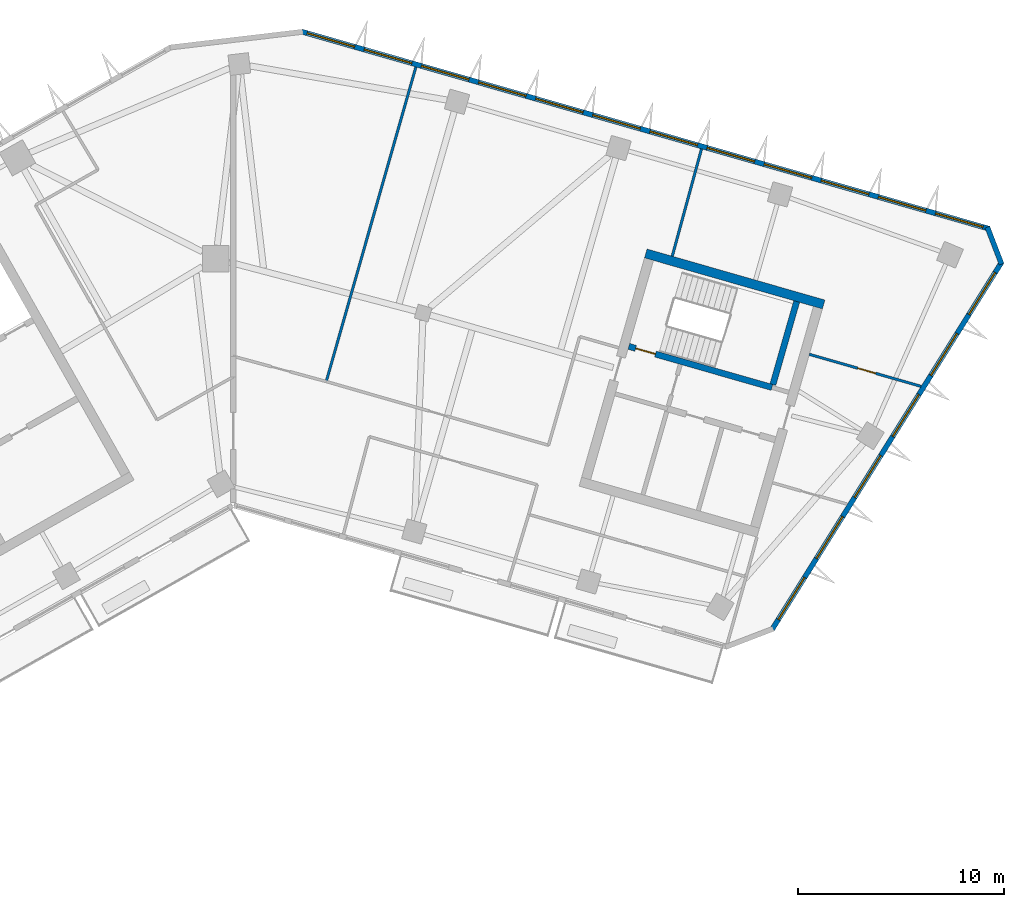
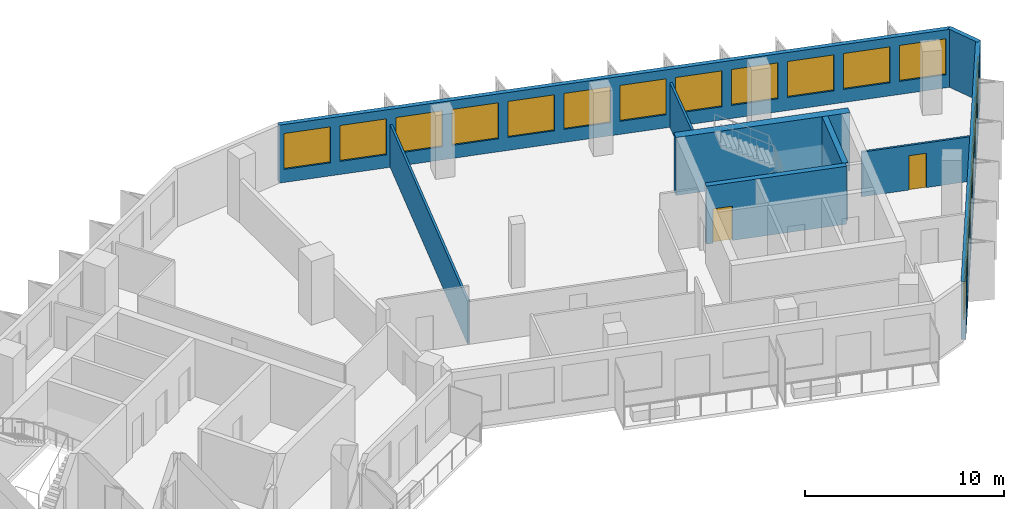
# One storey, part 8 of 12: 18 windows, 9 walls, 2 doors, 20 openings.
"""IFC4 building model written with IfcOpenShell, lengths in metres."""

from ifc_helpers import new_model, si_unit, direction, frame, frame_2d, origin, place, context, subcontext, project, spatial, rectangle, extrude, material, layer, layer_set, type_object, element, fill, save


model = new_model("IFC4")

# Units and contexts
model_context = context("Model", 3, precision=1e-05, world=origin(), true_north=direction((0.0, 1.0)))
body_context = subcontext(model_context, "Body", "Model", "MODEL_VIEW")
ifc_project = project(units=[si_unit("LENGTHUNIT", "METRE"), si_unit("AREAUNIT", "SQUARE_METRE"), si_unit("VOLUMEUNIT", "CUBIC_METRE"), si_unit("PLANEANGLEUNIT", "RADIAN"), si_unit("MASSUNIT", "GRAM", prefix="KILO")], contexts=[model_context])

# Site, building, storey
site_placement = place(None, origin())
site = spatial("IfcSite", under=ifc_project, at=site_placement, CompositionType="ELEMENT")
building_placement = place(site_placement, origin())
building = spatial("IfcBuilding", under=site, at=building_placement, Name="Binnacle Exchange Tower", CompositionType="ELEMENT")
storey_placement = place(building_placement, frame((0.0, 0.0, 254.300048828125)))
storey = spatial("IfcBuildingStorey", under=building, at=storey_placement, Name="L56", CompositionType="ELEMENT", Elevation=254.300048828125)

# Wall
ifc_material_1 = material(Name="Concrete C70/85", Category="concrete")
ifc_layer_1 = layer(ifc_material_1, 0.449951171875)
ifc_layer_set_1 = layer_set([ifc_layer_1], Name="Core wall - outer 450")
wall_type_1 = type_object("IfcWallType", Name="Core wall - outer 450", PredefinedType="SOLIDWALL", material=ifc_layer_set_1)
wall_1_placement = place(storey_placement, frame((20.073486328125, 60.251708984375, 0.0), z_axis=(0.0, 0.0, 1.0), x_axis=(0.96126248289, -0.275634611374, 0.0)))
element("IfcWall", 1, at=wall_1_placement, inside=storey, type_object=wall_type_1, Name="Core wall CRWD6", PredefinedType="SOLIDWALL", context=body_context, shape_type="SweptSolid", body=[
    extrude(rectangle(XDim=9.0, YDim=0.449951171875, at=frame_2d((4.5, 0.0))), origin(), (0.0, 0.0, 1.0), 3.550048828125),
])

# Wall, opening, door
ifc_layer_2 = layer(ifc_material_1, 0.300048828125)
ifc_layer_set_2 = layer_set([ifc_layer_2], Name="Core wall - stair 300")
wall_type_2 = type_object("IfcWallType", Name="Core wall - stair 300", PredefinedType="SOLIDWALL", material=ifc_layer_set_2)
wall_2_placement = place(storey_placement, frame((19.2451171875, 55.72998046875, 0.0), z_axis=(0.0, 0.0, 1.0), x_axis=(0.961263007877, -0.275632780503, 0.0)))
wall_2 = element("IfcWall", 2, at=wall_2_placement, inside=storey, type_object=wall_type_2, Name="Core wall CRWD4", PredefinedType="SOLIDWALL", context=body_context, shape_type="SweptSolid", body=[
    extrude(rectangle(XDim=7.249755859375, YDim=0.300048828125, at=frame_2d((3.625, 0.0))), origin(), (0.0, 0.0, 1.0), 3.550048828125),
])
opening_1_placement = place(wall_2_placement, frame((0.35009765625, 0.0, 0.0)))
opening_1 = element("IfcOpeningElement", 3, at=opening_1_placement, cuts=wall_2, Name="Opening DD1", PredefinedType="OPENING", context=body_context, shape_type="SweptSolid", body=[
    extrude(rectangle(XDim=1.0, YDim=2.10009765625, at=frame_2d((0.5, 1.050048828125))), frame((0.0, 0.159912109375, 0.0), z_axis=(0.0, -1.0, 0.0), x_axis=(1.0, 0.0, 0.0)), (0.0, 0.0, 1.0), 0.320068359375),
])
ifc_material_2 = material(Name="Steel door leaf", Category="steel")
door_type_1 = type_object("IfcDoorType", Name="Fire door 1000", OperationType="NOTDEFINED", PredefinedType="DOOR", material=ifc_material_2)
door_1_placement = place(opening_1_placement, origin())
door_1 = element("IfcDoor", 4, at=door_1_placement, inside=storey, type_object=door_type_1, Name="Stair door ST-D1", OperationType="SINGLE_SWING_LEFT", OverallHeight=2.10009765625, OverallWidth=1.0, PredefinedType="DOOR", context=body_context, shape_type="SweptSolid", body=[
    extrude(rectangle(XDim=1.0, YDim=2.10009765625, at=frame_2d((0.5, 1.050048828125))), frame((0.0, 0.02490234375, 0.0), z_axis=(0.0, -1.0, 0.0), x_axis=(1.0, 0.0, 0.0)), (0.0, 0.0, 1.0), 0.050048828125),
])
fill(opening_1, door_1)

# Wall
wall_3_placement = place(storey_placement, frame((26.255615234375, 53.875732421875, 0.0), z_axis=(0.0, 0.0, 1.0), x_axis=(0.275588560745, 0.96127568636, 0.0)))
element("IfcWall", 5, at=wall_3_placement, inside=storey, type_object=wall_type_2, Name="Core wall CRWD11", PredefinedType="SOLIDWALL", context=body_context, shape_type="SweptSolid", body=[
    extrude(rectangle(XDim=4.199951171875, YDim=0.300048828125, at=frame_2d((2.10009765625, 0.0))), origin(), (0.0, 0.0, 1.0), 3.550048828125),
])

# Wall, openings, windows
ifc_material_3 = material(Name="Bronze aluminium cladding", Category="aluminium")
ifc_layer_3 = layer(ifc_material_3, 0.25)
ifc_layer_set_3 = layer_set([ifc_layer_3], Name="External wall - window wall 250")
wall_type_3 = type_object("IfcWallType", Name="External wall - window wall 250", PredefinedType="STANDARD", material=ifc_layer_set_3)
wall_4_placement = place(storey_placement, frame((37.392333984375, 59.84033203125, 0.0), z_axis=(0.0, 0.0, 1.0), x_axis=(-0.529919909431, -0.848047692992, 0.0)))
wall_4 = element("IfcWall", 6, at=wall_4_placement, inside=storey, type_object=wall_type_3, Name="External wall EW-G04 L56", PredefinedType="STANDARD", context=body_context, shape_type="SweptSolid", body=[
    extrude(rectangle(XDim=21.104248046875, YDim=0.25, at=frame_2d((10.55224609375, 0.0))), origin(), (0.0, 0.0, 1.0), 3.550048828125),
])
opening_2_placement = place(wall_4_placement, frame((18.1123046875, 0.0, 0.800048828125)))
opening_2 = element("IfcOpeningElement", 7, at=opening_2_placement, cuts=wall_4, Name="Opening WR1", PredefinedType="OPENING", context=body_context, shape_type="SweptSolid", body=[
    extrude(rectangle(XDim=2.39990234375, YDim=2.199951171875, at=frame_2d((1.199951171875, 1.10009765625))), frame((0.0, 0.135009765625, 0.0), z_axis=(0.0, -1.0, 0.0), x_axis=(1.0, 0.0, 0.0)), (0.0, 0.0, 1.0), 0.27001953125),
])
opening_3_placement = place(wall_4_placement, frame((14.6123046875, 0.0, 0.800048828125)))
opening_3 = element("IfcOpeningElement", 8, at=opening_3_placement, cuts=wall_4, Name="Opening WR1", PredefinedType="OPENING", context=body_context, shape_type="SweptSolid", body=[
    extrude(rectangle(XDim=2.39990234375, YDim=2.199951171875, at=frame_2d((1.199951171875, 1.10009765625))), frame((0.0, 0.135009765625, 0.0), z_axis=(0.0, -1.0, 0.0), x_axis=(1.0, 0.0, 0.0)), (0.0, 0.0, 1.0), 0.27001953125),
])
opening_4_placement = place(wall_4_placement, frame((11.1123046875, 0.0, 0.800048828125)))
opening_4 = element("IfcOpeningElement", 9, at=opening_4_placement, cuts=wall_4, Name="Opening WR1", PredefinedType="OPENING", context=body_context, shape_type="SweptSolid", body=[
    extrude(rectangle(XDim=2.39990234375, YDim=2.199951171875, at=frame_2d((1.199951171875, 1.10009765625))), frame((0.0, 0.135009765625, 0.0), z_axis=(0.0, -1.0, 0.0), x_axis=(1.0, 0.0, 0.0)), (0.0, 0.0, 1.0), 0.27001953125),
])
opening_5_placement = place(wall_4_placement, frame((7.6123046875, 0.0, 0.800048828125)))
opening_5 = element("IfcOpeningElement", 10, at=opening_5_placement, cuts=wall_4, Name="Opening WR1", PredefinedType="OPENING", context=body_context, shape_type="SweptSolid", body=[
    extrude(rectangle(XDim=2.39990234375, YDim=2.199951171875, at=frame_2d((1.199951171875, 1.10009765625))), frame((0.0, 0.135009765625, 0.0), z_axis=(0.0, -1.0, 0.0), x_axis=(1.0, 0.0, 0.0)), (0.0, 0.0, 1.0), 0.27001953125),
])
opening_6_placement = place(wall_4_placement, frame((4.1123046875, 0.0, 0.800048828125)))
opening_6 = element("IfcOpeningElement", 11, at=opening_6_placement, cuts=wall_4, Name="Opening WR1", PredefinedType="OPENING", context=body_context, shape_type="SweptSolid", body=[
    extrude(rectangle(XDim=2.39990234375, YDim=2.199951171875, at=frame_2d((1.199951171875, 1.10009765625))), frame((0.0, 0.135009765625, 0.0), z_axis=(0.0, -1.0, 0.0), x_axis=(1.0, 0.0, 0.0)), (0.0, 0.0, 1.0), 0.27001953125),
])
opening_7_placement = place(wall_4_placement, frame((0.6123046875, 0.0, 0.800048828125)))
opening_7 = element("IfcOpeningElement", 12, at=opening_7_placement, cuts=wall_4, Name="Opening WR1", PredefinedType="OPENING", context=body_context, shape_type="SweptSolid", body=[
    extrude(rectangle(XDim=2.39990234375, YDim=2.199951171875, at=frame_2d((1.199951171875, 1.10009765625))), frame((0.0, 0.135009765625, 0.0), z_axis=(0.0, -1.0, 0.0), x_axis=(1.0, 0.0, 0.0)), (0.0, 0.0, 1.0), 0.27001953125),
])
ifc_material_4 = material(Name="Bronze anodised aluminium frame", Category="aluminium")
window_type = type_object("IfcWindowType", Name="WR1 WINDOW 2400x2200", PartitioningType="SINGLE_PANEL", PredefinedType="WINDOW", material=ifc_material_4)
window_1_placement = place(opening_2_placement, origin())
window_1 = element("IfcWindow", 13, at=window_1_placement, inside=storey, type_object=window_type, Name="Window WR1 L56", OverallHeight=2.199951171875, OverallWidth=2.39990234375, PartitioningType="SINGLE_PANEL", PredefinedType="WINDOW", context=body_context, shape_type="SweptSolid", body=[
    extrude(rectangle(XDim=2.39990234375, YDim=2.199951171875, at=frame_2d((1.199951171875, 1.10009765625))), frame((0.0, 0.030029296875, 0.0), z_axis=(0.0, -1.0, 0.0), x_axis=(1.0, 0.0, 0.0)), (0.0, 0.0, 1.0), 0.06005859375),
])
fill(opening_2, window_1)
window_2_placement = place(opening_3_placement, origin())
window_2 = element("IfcWindow", 14, at=window_2_placement, inside=storey, type_object=window_type, Name="Window WR1 L56", OverallHeight=2.199951171875, OverallWidth=2.39990234375, PartitioningType="SINGLE_PANEL", PredefinedType="WINDOW", context=body_context, shape_type="SweptSolid", body=[
    extrude(rectangle(XDim=2.39990234375, YDim=2.199951171875, at=frame_2d((1.199951171875, 1.10009765625))), frame((0.0, 0.030029296875, 0.0), z_axis=(0.0, -1.0, 0.0), x_axis=(1.0, 0.0, 0.0)), (0.0, 0.0, 1.0), 0.06005859375),
])
fill(opening_3, window_2)
window_3_placement = place(opening_4_placement, origin())
window_3 = element("IfcWindow", 15, at=window_3_placement, inside=storey, type_object=window_type, Name="Window WR1 L56", OverallHeight=2.199951171875, OverallWidth=2.39990234375, PartitioningType="SINGLE_PANEL", PredefinedType="WINDOW", context=body_context, shape_type="SweptSolid", body=[
    extrude(rectangle(XDim=2.39990234375, YDim=2.199951171875, at=frame_2d((1.199951171875, 1.10009765625))), frame((0.0, 0.030029296875, 0.0), z_axis=(0.0, -1.0, 0.0), x_axis=(1.0, 0.0, 0.0)), (0.0, 0.0, 1.0), 0.06005859375),
])
fill(opening_4, window_3)
window_4_placement = place(opening_5_placement, origin())
window_4 = element("IfcWindow", 16, at=window_4_placement, inside=storey, type_object=window_type, Name="Window WR1 L56", OverallHeight=2.199951171875, OverallWidth=2.39990234375, PartitioningType="SINGLE_PANEL", PredefinedType="WINDOW", context=body_context, shape_type="SweptSolid", body=[
    extrude(rectangle(XDim=2.39990234375, YDim=2.199951171875, at=frame_2d((1.199951171875, 1.10009765625))), frame((0.0, 0.030029296875, 0.0), z_axis=(0.0, -1.0, 0.0), x_axis=(1.0, 0.0, 0.0)), (0.0, 0.0, 1.0), 0.06005859375),
])
fill(opening_5, window_4)
window_5_placement = place(opening_6_placement, origin())
window_5 = element("IfcWindow", 17, at=window_5_placement, inside=storey, type_object=window_type, Name="Window WR1 L56", OverallHeight=2.199951171875, OverallWidth=2.39990234375, PartitioningType="SINGLE_PANEL", PredefinedType="WINDOW", context=body_context, shape_type="SweptSolid", body=[
    extrude(rectangle(XDim=2.39990234375, YDim=2.199951171875, at=frame_2d((1.199951171875, 1.10009765625))), frame((0.0, 0.030029296875, 0.0), z_axis=(0.0, -1.0, 0.0), x_axis=(1.0, 0.0, 0.0)), (0.0, 0.0, 1.0), 0.06005859375),
])
fill(opening_6, window_5)
window_6_placement = place(opening_7_placement, origin())
window_6 = element("IfcWindow", 18, at=window_6_placement, inside=storey, type_object=window_type, Name="Window WR1 L56", OverallHeight=2.199951171875, OverallWidth=2.39990234375, PartitioningType="SINGLE_PANEL", PredefinedType="WINDOW", context=body_context, shape_type="SweptSolid", body=[
    extrude(rectangle(XDim=2.39990234375, YDim=2.199951171875, at=frame_2d((1.199951171875, 1.10009765625))), frame((0.0, 0.030029296875, 0.0), z_axis=(0.0, -1.0, 0.0), x_axis=(1.0, 0.0, 0.0)), (0.0, 0.0, 1.0), 0.06005859375),
])
fill(opening_7, window_6)

# Wall
wall_5_placement = place(storey_placement, frame((36.68994140625, 61.531005859375, 0.0), z_axis=(0.0, 0.0, 1.0), x_axis=(0.358377147136, -0.933576895821, 0.0)))
element("IfcWall", 19, at=wall_5_placement, inside=storey, type_object=wall_type_3, Name="External wall EW-G05 L56", PredefinedType="STANDARD", context=body_context, shape_type="SweptSolid", body=[
    extrude(rectangle(XDim=1.929931640625, YDim=0.25, at=frame_2d((0.96484375, 0.0))), origin(), (0.0, 0.0, 1.0), 3.550048828125),
])

# Wall, openings, windows
wall_6_placement = place(storey_placement, frame((3.34033203125, 71.042236328125, 0.0), z_axis=(0.0, 0.0, 1.0), x_axis=(0.96126179431, -0.275637012753, 0.0)))
wall_6 = element("IfcWall", 20, at=wall_6_placement, inside=storey, type_object=wall_type_3, Name="External wall EW-G06 L56", PredefinedType="STANDARD", context=body_context, shape_type="SweptSolid", body=[
    extrude(rectangle(XDim=34.779052734375, YDim=0.25, at=frame_2d((17.3896484375, 0.0))), origin(), (0.0, 0.0, 1.0), 3.550048828125),
])
opening_8_placement = place(wall_6_placement, frame((32.0712890625, 0.0, 0.800048828125)))
opening_8 = element("IfcOpeningElement", 21, at=opening_8_placement, cuts=wall_6, Name="Opening WR1", PredefinedType="OPENING", context=body_context, shape_type="SweptSolid", body=[
    extrude(rectangle(XDim=2.39990234375, YDim=2.199951171875, at=frame_2d((1.199951171875, 1.10009765625))), frame((0.0, 0.135009765625, 0.0), z_axis=(0.0, -1.0, 0.0), x_axis=(1.0, 0.0, 0.0)), (0.0, 0.0, 1.0), 0.27001953125),
])
opening_9_placement = place(wall_6_placement, frame((29.180419921875, 0.0, 0.800048828125)))
opening_9 = element("IfcOpeningElement", 22, at=opening_9_placement, cuts=wall_6, Name="Opening WR1", PredefinedType="OPENING", context=body_context, shape_type="SweptSolid", body=[
    extrude(rectangle(XDim=2.39990234375, YDim=2.199951171875, at=frame_2d((1.199951171875, 1.10009765625))), frame((0.0, 0.135009765625, 0.0), z_axis=(0.0, -1.0, 0.0), x_axis=(1.0, 0.0, 0.0)), (0.0, 0.0, 1.0), 0.27001953125),
])
opening_10_placement = place(wall_6_placement, frame((26.289306640625, 0.0, 0.800048828125)))
opening_10 = element("IfcOpeningElement", 23, at=opening_10_placement, cuts=wall_6, Name="Opening WR1", PredefinedType="OPENING", context=body_context, shape_type="SweptSolid", body=[
    extrude(rectangle(XDim=2.39990234375, YDim=2.199951171875, at=frame_2d((1.199951171875, 1.10009765625))), frame((0.0, 0.135009765625, 0.0), z_axis=(0.0, -1.0, 0.0), x_axis=(1.0, 0.0, 0.0)), (0.0, 0.0, 1.0), 0.27001953125),
])
opening_11_placement = place(wall_6_placement, frame((23.3984375, 0.0, 0.800048828125)))
opening_11 = element("IfcOpeningElement", 24, at=opening_11_placement, cuts=wall_6, Name="Opening WR1", PredefinedType="OPENING", context=body_context, shape_type="SweptSolid", body=[
    extrude(rectangle(XDim=2.39990234375, YDim=2.199951171875, at=frame_2d((1.199951171875, 1.10009765625))), frame((0.0, 0.135009765625, 0.0), z_axis=(0.0, -1.0, 0.0), x_axis=(1.0, 0.0, 0.0)), (0.0, 0.0, 1.0), 0.27001953125),
])
opening_12_placement = place(wall_6_placement, frame((20.507568359375, 0.0, 0.800048828125)))
opening_12 = element("IfcOpeningElement", 25, at=opening_12_placement, cuts=wall_6, Name="Opening WR1", PredefinedType="OPENING", context=body_context, shape_type="SweptSolid", body=[
    extrude(rectangle(XDim=2.39990234375, YDim=2.199951171875, at=frame_2d((1.199951171875, 1.10009765625))), frame((0.0, 0.135009765625, 0.0), z_axis=(0.0, -1.0, 0.0), x_axis=(1.0, 0.0, 0.0)), (0.0, 0.0, 1.0), 0.27001953125),
])
opening_13_placement = place(wall_6_placement, frame((17.616455078125, 0.0, 0.800048828125)))
opening_13 = element("IfcOpeningElement", 26, at=opening_13_placement, cuts=wall_6, Name="Opening WR1", PredefinedType="OPENING", context=body_context, shape_type="SweptSolid", body=[
    extrude(rectangle(XDim=2.39990234375, YDim=2.199951171875, at=frame_2d((1.199951171875, 1.10009765625))), frame((0.0, 0.135009765625, 0.0), z_axis=(0.0, -1.0, 0.0), x_axis=(1.0, 0.0, 0.0)), (0.0, 0.0, 1.0), 0.27001953125),
])
opening_14_placement = place(wall_6_placement, frame((14.7255859375, 0.0, 0.800048828125)))
opening_14 = element("IfcOpeningElement", 27, at=opening_14_placement, cuts=wall_6, Name="Opening WR1", PredefinedType="OPENING", context=body_context, shape_type="SweptSolid", body=[
    extrude(rectangle(XDim=2.39990234375, YDim=2.199951171875, at=frame_2d((1.199951171875, 1.10009765625))), frame((0.0, 0.135009765625, 0.0), z_axis=(0.0, -1.0, 0.0), x_axis=(1.0, 0.0, 0.0)), (0.0, 0.0, 1.0), 0.27001953125),
])
opening_15_placement = place(wall_6_placement, frame((11.83447265625, 0.0, 0.800048828125)))
opening_15 = element("IfcOpeningElement", 28, at=opening_15_placement, cuts=wall_6, Name="Opening WR1", PredefinedType="OPENING", context=body_context, shape_type="SweptSolid", body=[
    extrude(rectangle(XDim=2.39990234375, YDim=2.199951171875, at=frame_2d((1.199951171875, 1.10009765625))), frame((0.0, 0.135009765625, 0.0), z_axis=(0.0, -1.0, 0.0), x_axis=(1.0, 0.0, 0.0)), (0.0, 0.0, 1.0), 0.27001953125),
])
opening_16_placement = place(wall_6_placement, frame((8.943603515625, 0.0, 0.800048828125)))
opening_16 = element("IfcOpeningElement", 29, at=opening_16_placement, cuts=wall_6, Name="Opening WR1", PredefinedType="OPENING", context=body_context, shape_type="SweptSolid", body=[
    extrude(rectangle(XDim=2.39990234375, YDim=2.199951171875, at=frame_2d((1.199951171875, 1.10009765625))), frame((0.0, 0.135009765625, 0.0), z_axis=(0.0, -1.0, 0.0), x_axis=(1.0, 0.0, 0.0)), (0.0, 0.0, 1.0), 0.27001953125),
])
opening_17_placement = place(wall_6_placement, frame((6.052490234375, 0.0, 0.800048828125)))
opening_17 = element("IfcOpeningElement", 30, at=opening_17_placement, cuts=wall_6, Name="Opening WR1", PredefinedType="OPENING", context=body_context, shape_type="SweptSolid", body=[
    extrude(rectangle(XDim=2.39990234375, YDim=2.199951171875, at=frame_2d((1.199951171875, 1.10009765625))), frame((0.0, 0.135009765625, 0.0), z_axis=(0.0, -1.0, 0.0), x_axis=(1.0, 0.0, 0.0)), (0.0, 0.0, 1.0), 0.27001953125),
])
opening_18_placement = place(wall_6_placement, frame((3.16162109375, 0.0, 0.800048828125)))
opening_18 = element("IfcOpeningElement", 31, at=opening_18_placement, cuts=wall_6, Name="Opening WR1", PredefinedType="OPENING", context=body_context, shape_type="SweptSolid", body=[
    extrude(rectangle(XDim=2.39990234375, YDim=2.199951171875, at=frame_2d((1.199951171875, 1.10009765625))), frame((0.0, 0.135009765625, 0.0), z_axis=(0.0, -1.0, 0.0), x_axis=(1.0, 0.0, 0.0)), (0.0, 0.0, 1.0), 0.27001953125),
])
opening_19_placement = place(wall_6_placement, frame((0.2705078125, 0.0, 0.800048828125)))
opening_19 = element("IfcOpeningElement", 32, at=opening_19_placement, cuts=wall_6, Name="Opening WR1", PredefinedType="OPENING", context=body_context, shape_type="SweptSolid", body=[
    extrude(rectangle(XDim=2.39990234375, YDim=2.199951171875, at=frame_2d((1.199951171875, 1.10009765625))), frame((0.0, 0.135009765625, 0.0), z_axis=(0.0, -1.0, 0.0), x_axis=(1.0, 0.0, 0.0)), (0.0, 0.0, 1.0), 0.27001953125),
])
window_7_placement = place(opening_8_placement, origin())
window_7 = element("IfcWindow", 33, at=window_7_placement, inside=storey, type_object=window_type, Name="Window WR1 L56", OverallHeight=2.199951171875, OverallWidth=2.39990234375, PartitioningType="SINGLE_PANEL", PredefinedType="WINDOW", context=body_context, shape_type="SweptSolid", body=[
    extrude(rectangle(XDim=2.39990234375, YDim=2.199951171875, at=frame_2d((1.199951171875, 1.10009765625))), frame((0.0, 0.030029296875, 0.0), z_axis=(0.0, -1.0, 0.0), x_axis=(1.0, 0.0, 0.0)), (0.0, 0.0, 1.0), 0.06005859375),
])
fill(opening_8, window_7)
window_8_placement = place(opening_9_placement, origin())
window_8 = element("IfcWindow", 34, at=window_8_placement, inside=storey, type_object=window_type, Name="Window WR1 L56", OverallHeight=2.199951171875, OverallWidth=2.39990234375, PartitioningType="SINGLE_PANEL", PredefinedType="WINDOW", context=body_context, shape_type="SweptSolid", body=[
    extrude(rectangle(XDim=2.39990234375, YDim=2.199951171875, at=frame_2d((1.199951171875, 1.10009765625))), frame((0.0, 0.030029296875, 0.0), z_axis=(0.0, -1.0, 0.0), x_axis=(1.0, 0.0, 0.0)), (0.0, 0.0, 1.0), 0.06005859375),
])
fill(opening_9, window_8)
window_9_placement = place(opening_10_placement, origin())
window_9 = element("IfcWindow", 35, at=window_9_placement, inside=storey, type_object=window_type, Name="Window WR1 L56", OverallHeight=2.199951171875, OverallWidth=2.39990234375, PartitioningType="SINGLE_PANEL", PredefinedType="WINDOW", context=body_context, shape_type="SweptSolid", body=[
    extrude(rectangle(XDim=2.39990234375, YDim=2.199951171875, at=frame_2d((1.199951171875, 1.10009765625))), frame((0.0, 0.030029296875, 0.0), z_axis=(0.0, -1.0, 0.0), x_axis=(1.0, 0.0, 0.0)), (0.0, 0.0, 1.0), 0.06005859375),
])
fill(opening_10, window_9)
window_10_placement = place(opening_11_placement, origin())
window_10 = element("IfcWindow", 36, at=window_10_placement, inside=storey, type_object=window_type, Name="Window WR1 L56", OverallHeight=2.199951171875, OverallWidth=2.39990234375, PartitioningType="SINGLE_PANEL", PredefinedType="WINDOW", context=body_context, shape_type="SweptSolid", body=[
    extrude(rectangle(XDim=2.39990234375, YDim=2.199951171875, at=frame_2d((1.199951171875, 1.10009765625))), frame((0.0, 0.030029296875, 0.0), z_axis=(0.0, -1.0, 0.0), x_axis=(1.0, 0.0, 0.0)), (0.0, 0.0, 1.0), 0.06005859375),
])
fill(opening_11, window_10)
window_11_placement = place(opening_12_placement, origin())
window_11 = element("IfcWindow", 37, at=window_11_placement, inside=storey, type_object=window_type, Name="Window WR1 L56", OverallHeight=2.199951171875, OverallWidth=2.39990234375, PartitioningType="SINGLE_PANEL", PredefinedType="WINDOW", context=body_context, shape_type="SweptSolid", body=[
    extrude(rectangle(XDim=2.39990234375, YDim=2.199951171875, at=frame_2d((1.199951171875, 1.10009765625))), frame((0.0, 0.030029296875, 0.0), z_axis=(0.0, -1.0, 0.0), x_axis=(1.0, 0.0, 0.0)), (0.0, 0.0, 1.0), 0.06005859375),
])
fill(opening_12, window_11)
window_12_placement = place(opening_13_placement, origin())
window_12 = element("IfcWindow", 38, at=window_12_placement, inside=storey, type_object=window_type, Name="Window WR1 L56", OverallHeight=2.199951171875, OverallWidth=2.39990234375, PartitioningType="SINGLE_PANEL", PredefinedType="WINDOW", context=body_context, shape_type="SweptSolid", body=[
    extrude(rectangle(XDim=2.39990234375, YDim=2.199951171875, at=frame_2d((1.199951171875, 1.10009765625))), frame((0.0, 0.030029296875, 0.0), z_axis=(0.0, -1.0, 0.0), x_axis=(1.0, 0.0, 0.0)), (0.0, 0.0, 1.0), 0.06005859375),
])
fill(opening_13, window_12)
window_13_placement = place(opening_14_placement, origin())
window_13 = element("IfcWindow", 39, at=window_13_placement, inside=storey, type_object=window_type, Name="Window WR1 L56", OverallHeight=2.199951171875, OverallWidth=2.39990234375, PartitioningType="SINGLE_PANEL", PredefinedType="WINDOW", context=body_context, shape_type="SweptSolid", body=[
    extrude(rectangle(XDim=2.39990234375, YDim=2.199951171875, at=frame_2d((1.199951171875, 1.10009765625))), frame((0.0, 0.030029296875, 0.0), z_axis=(0.0, -1.0, 0.0), x_axis=(1.0, 0.0, 0.0)), (0.0, 0.0, 1.0), 0.06005859375),
])
fill(opening_14, window_13)
window_14_placement = place(opening_15_placement, origin())
window_14 = element("IfcWindow", 40, at=window_14_placement, inside=storey, type_object=window_type, Name="Window WR1 L56", OverallHeight=2.199951171875, OverallWidth=2.39990234375, PartitioningType="SINGLE_PANEL", PredefinedType="WINDOW", context=body_context, shape_type="SweptSolid", body=[
    extrude(rectangle(XDim=2.39990234375, YDim=2.199951171875, at=frame_2d((1.199951171875, 1.10009765625))), frame((0.0, 0.030029296875, 0.0), z_axis=(0.0, -1.0, 0.0), x_axis=(1.0, 0.0, 0.0)), (0.0, 0.0, 1.0), 0.06005859375),
])
fill(opening_15, window_14)
window_15_placement = place(opening_16_placement, origin())
window_15 = element("IfcWindow", 41, at=window_15_placement, inside=storey, type_object=window_type, Name="Window WR1 L56", OverallHeight=2.199951171875, OverallWidth=2.39990234375, PartitioningType="SINGLE_PANEL", PredefinedType="WINDOW", context=body_context, shape_type="SweptSolid", body=[
    extrude(rectangle(XDim=2.39990234375, YDim=2.199951171875, at=frame_2d((1.199951171875, 1.10009765625))), frame((0.0, 0.030029296875, 0.0), z_axis=(0.0, -1.0, 0.0), x_axis=(1.0, 0.0, 0.0)), (0.0, 0.0, 1.0), 0.06005859375),
])
fill(opening_16, window_15)
window_16_placement = place(opening_17_placement, origin())
window_16 = element("IfcWindow", 42, at=window_16_placement, inside=storey, type_object=window_type, Name="Window WR1 L56", OverallHeight=2.199951171875, OverallWidth=2.39990234375, PartitioningType="SINGLE_PANEL", PredefinedType="WINDOW", context=body_context, shape_type="SweptSolid", body=[
    extrude(rectangle(XDim=2.39990234375, YDim=2.199951171875, at=frame_2d((1.199951171875, 1.10009765625))), frame((0.0, 0.030029296875, 0.0), z_axis=(0.0, -1.0, 0.0), x_axis=(1.0, 0.0, 0.0)), (0.0, 0.0, 1.0), 0.06005859375),
])
fill(opening_17, window_16)
window_17_placement = place(opening_18_placement, origin())
window_17 = element("IfcWindow", 43, at=window_17_placement, inside=storey, type_object=window_type, Name="Window WR1 L56", OverallHeight=2.199951171875, OverallWidth=2.39990234375, PartitioningType="SINGLE_PANEL", PredefinedType="WINDOW", context=body_context, shape_type="SweptSolid", body=[
    extrude(rectangle(XDim=2.39990234375, YDim=2.199951171875, at=frame_2d((1.199951171875, 1.10009765625))), frame((0.0, 0.030029296875, 0.0), z_axis=(0.0, -1.0, 0.0), x_axis=(1.0, 0.0, 0.0)), (0.0, 0.0, 1.0), 0.06005859375),
])
fill(opening_18, window_17)
window_18_placement = place(opening_19_placement, origin())
window_18 = element("IfcWindow", 44, at=window_18_placement, inside=storey, type_object=window_type, Name="Window WR1 L56", OverallHeight=2.199951171875, OverallWidth=2.39990234375, PartitioningType="SINGLE_PANEL", PredefinedType="WINDOW", context=body_context, shape_type="SweptSolid", body=[
    extrude(rectangle(XDim=2.39990234375, YDim=2.199951171875, at=frame_2d((1.199951171875, 1.10009765625))), frame((0.0, 0.030029296875, 0.0), z_axis=(0.0, -1.0, 0.0), x_axis=(1.0, 0.0, 0.0)), (0.0, 0.0, 1.0), 0.06005859375),
])
fill(opening_19, window_18)

# Walls
ifc_material_5 = material(Name="Gypsum partition")
ifc_layer_4 = layer(ifc_material_5, 0.125)
ifc_layer_set_4 = layer_set([ifc_layer_4], Name="Partition 125")
wall_type_4 = type_object("IfcWallType", Name="Partition 125", PredefinedType="PARTITIONING", material=ifc_layer_set_4)
wall_7_placement = place(storey_placement, frame((4.527099609375, 54.02001953125, 0.0), z_axis=(0.0, 0.0, 1.0), x_axis=(0.274088747086, 0.961704402985, 0.0)))
element("IfcWall", 45, at=wall_7_placement, inside=storey, type_object=wall_type_4, Name="Partition W26", PredefinedType="PARTITIONING", context=body_context, shape_type="SweptSolid", body=[
    extrude(rectangle(XDim=15.910400390625, YDim=0.125, at=frame_2d((7.955078125, 0.0))), origin(), (0.0, 0.0, 1.0), 2.617919921875),
])
wall_8_placement = place(storey_placement, frame((21.360107421875, 60.116943359375, 0.0), z_axis=(0.0, 0.0, 1.0), x_axis=(0.263151767798, 0.964754449124, 0.0)))
element("IfcWall", 46, at=wall_8_placement, inside=storey, type_object=wall_type_4, Name="Partition W35", PredefinedType="PARTITIONING", context=body_context, shape_type="SweptSolid", body=[
    extrude(rectangle(XDim=5.41064453125, YDim=0.125, at=frame_2d((2.705322265625, 0.0))), origin(), (0.0, 0.0, 1.0), 2.72998046875),
])

# Wall, opening, door
wall_9_placement = place(storey_placement, frame((28.029052734375, 55.343994140625, 0.0), z_axis=(0.0, 0.0, 1.0), x_axis=(0.961249621014, -0.275679462603, 0.0)))
wall_9 = element("IfcWall", 47, at=wall_9_placement, inside=storey, type_object=wall_type_4, Name="Partition W39", PredefinedType="PARTITIONING", context=body_context, shape_type="SweptSolid", body=[
    extrude(rectangle(XDim=5.65185546875, YDim=0.125, at=frame_2d((2.825927734375, 0.0))), origin(), (0.0, 0.0, 1.0), 2.72998046875),
])
opening_20_placement = place(wall_9_placement, frame((2.449951171875, 0.0, 0.0)))
opening_20 = element("IfcOpeningElement", 48, at=opening_20_placement, cuts=wall_9, Name="Opening DL55-12", PredefinedType="OPENING", context=body_context, shape_type="SweptSolid", body=[
    extrude(rectangle(XDim=0.89990234375, YDim=2.10009765625, at=frame_2d((0.449951171875, 1.050048828125))), frame((0.0, 0.072509765625, 0.0), z_axis=(0.0, -1.0, 0.0), x_axis=(1.0, 0.0, 0.0)), (0.0, 0.0, 1.0), 0.14501953125),
])
ifc_material_6 = material(Name="Timber door leaf", Category="wood")
door_type_2 = type_object("IfcDoorType", Name="Door 900", OperationType="NOTDEFINED", PredefinedType="DOOR", material=ifc_material_6)
door_2_placement = place(opening_20_placement, origin())
door_2 = element("IfcDoor", 49, at=door_2_placement, inside=storey, type_object=door_type_2, Name="Door DL55-12", OperationType="SINGLE_SWING_RIGHT", OverallHeight=2.10009765625, OverallWidth=0.89990234375, PredefinedType="DOOR", context=body_context, shape_type="SweptSolid", body=[
    extrude(rectangle(XDim=0.89990234375, YDim=2.10009765625, at=frame_2d((0.449951171875, 1.050048828125))), frame((0.0, 0.02490234375, 0.0), z_axis=(0.0, -1.0, 0.0), x_axis=(1.0, 0.0, 0.0)), (0.0, 0.0, 1.0), 0.050048828125),
])
fill(opening_20, door_2)

save(model, "model.ifc")
